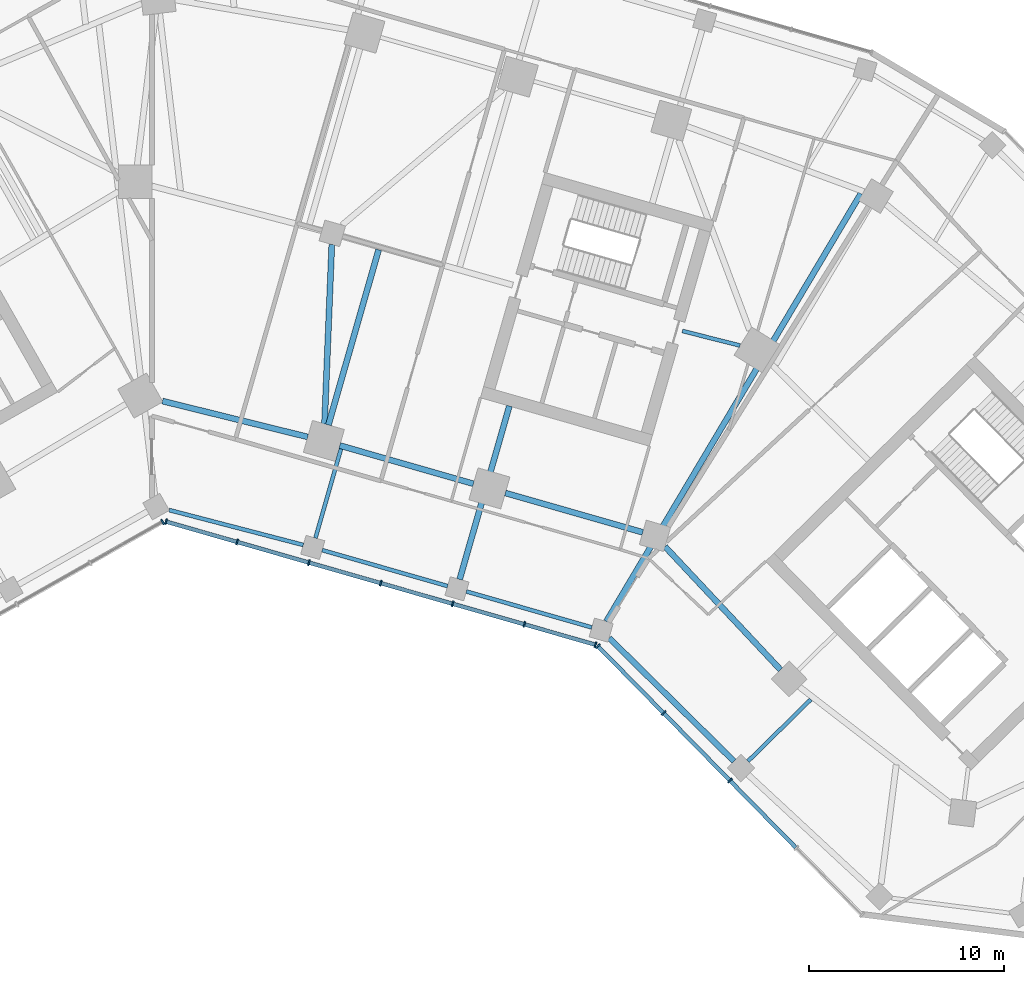
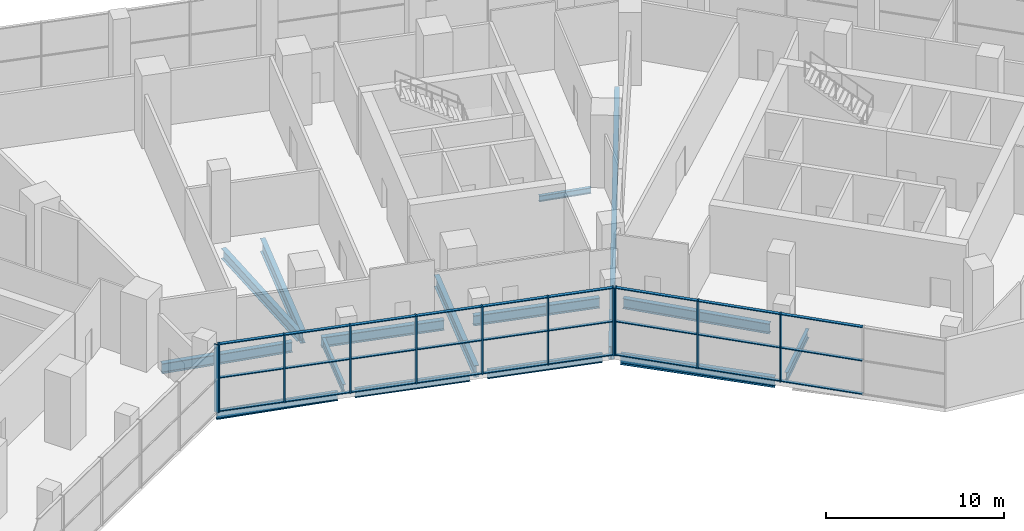
# One storey, part 5 of 18: 38 members, 15 beams, 3 elements without a shape of their own.
"""IFC4 building model written with IfcOpenShell, lengths in metres."""

from ifc_helpers import new_model, si_unit, direction, frame, origin, origin_2d, place, context, subcontext, project, spatial, rectangle, i_section, extrude, material, material_profile, profile_set, type_object, element, aggregate, save


model = new_model("IFC4")

# Units and contexts
model_context = context("Model", 3, precision=1e-05, world=origin(), true_north=direction((0.0, 1.0)))
body_context = subcontext(model_context, "Body", "Model", "MODEL_VIEW")
ifc_project = project(units=[si_unit("LENGTHUNIT", "METRE"), si_unit("AREAUNIT", "SQUARE_METRE"), si_unit("VOLUMEUNIT", "CUBIC_METRE"), si_unit("PLANEANGLEUNIT", "RADIAN"), si_unit("MASSUNIT", "GRAM", prefix="KILO")], contexts=[model_context])

# Site, building, storey
site_placement = place(None, origin())
site = spatial("IfcSite", under=ifc_project, at=site_placement, CompositionType="ELEMENT")
building_placement = place(site_placement, origin())
building = spatial("IfcBuilding", under=site, at=building_placement, Name="Binnacle Exchange Tower", CompositionType="ELEMENT")
storey_placement = place(building_placement, frame((0.0, 0.0, 6.5)))
storey = spatial("IfcBuildingStorey", under=building, at=storey_placement, Name="L01", CompositionType="ELEMENT", Elevation=6.5)

# Curtain wall, member
ifc_material_1 = material(Name="Bronze anodised aluminium frame", Category="aluminium")
curtain_wall_type = type_object("IfcCurtainWallType", Name="External wall - curtain wall waterfront lobby", PredefinedType="NOTDEFINED", material=ifc_material_1)
curtain_wall_1_placement = place(storey_placement, origin())
curtain_wall_1 = element("IfcCurtainWall", 1, at=curtain_wall_1_placement, inside=storey, type_object=curtain_wall_type, Name="External wall curtain wall CW1-P06 L01", PredefinedType="NOTDEFINED")
ifc_material_profile_1 = material_profile(ifc_material_1, rectangle(XDim=0.300048828125, YDim=0.080078125, at=origin_2d()), Name="AL 80x300")
ifc_profile_set_1 = profile_set([ifc_material_profile_1], Name="Bronze anodised aluminium frame")
member_type_1 = type_object("IfcMemberType", Name="CW1 MULLION 80x300", PredefinedType="MULLION", material=ifc_profile_set_1)
member_1_placement = place(storey_placement, frame((0.556884765625, 42.5703125, 0.0), z_axis=(0.0, 0.0, 1.0), x_axis=(-0.492423763004, 0.870355581144, 0.0)))
member_1 = element("IfcMember", 2, at=member_1_placement, type_object=member_type_1, Name="CW1-P06 mullion 11", PredefinedType="MULLION", context=body_context, shape_type="SweptSolid", body=[
    extrude(rectangle(XDim=0.300048828125, YDim=0.080078125, at=origin_2d()), origin(), (0.0, 0.0, 1.0), 4.64990234375),
])
aggregate(curtain_wall_1, [member_1])

# Curtain wall, members
curtain_wall_2_placement = place(storey_placement, origin())
curtain_wall_2 = element("IfcCurtainWall", 3, at=curtain_wall_2_placement, inside=storey, type_object=curtain_wall_type, Name="External wall curtain wall CW1-P07 L01", PredefinedType="NOTDEFINED")
member_2_placement = place(storey_placement, frame((0.72607421875, 42.59033203125, 0.0), z_axis=(0.0, 0.0, 1.0), x_axis=(0.275636946454, 0.961261813321, 0.0)))
member_2 = element("IfcMember", 4, at=member_2_placement, type_object=member_type_1, Name="CW1-P07 mullion 1", PredefinedType="MULLION", context=body_context, shape_type="SweptSolid", body=[
    extrude(rectangle(XDim=0.300048828125, YDim=0.080078125, at=origin_2d()), origin(), (0.0, 0.0, 1.0), 4.64990234375),
])
member_3_placement = place(storey_placement, frame((4.366455078125, 41.54638671875, 0.0), z_axis=(0.0, 0.0, 1.0), x_axis=(0.275636946454, 0.961261813321, 0.0)))
member_3 = element("IfcMember", 5, at=member_3_placement, type_object=member_type_1, Name="CW1-P07 mullion 2", PredefinedType="MULLION", context=body_context, shape_type="SweptSolid", body=[
    extrude(rectangle(XDim=0.300048828125, YDim=0.080078125, at=origin_2d()), origin(), (0.0, 0.0, 1.0), 4.64990234375),
])
member_4_placement = place(storey_placement, frame((8.04541015625, 40.491455078125, 0.0), z_axis=(0.0, 0.0, 1.0), x_axis=(0.275636946454, 0.961261813321, 0.0)))
member_4 = element("IfcMember", 6, at=member_4_placement, type_object=member_type_1, Name="CW1-P07 mullion 3", PredefinedType="MULLION", context=body_context, shape_type="SweptSolid", body=[
    extrude(rectangle(XDim=0.300048828125, YDim=0.080078125, at=origin_2d()), origin(), (0.0, 0.0, 1.0), 4.64990234375),
])
member_5_placement = place(storey_placement, frame((11.724365234375, 39.436767578125, 0.0), z_axis=(0.0, 0.0, 1.0), x_axis=(0.275636946454, 0.961261813321, 0.0)))
member_5 = element("IfcMember", 7, at=member_5_placement, type_object=member_type_1, Name="CW1-P07 mullion 4", PredefinedType="MULLION", context=body_context, shape_type="SweptSolid", body=[
    extrude(rectangle(XDim=0.300048828125, YDim=0.080078125, at=origin_2d()), origin(), (0.0, 0.0, 1.0), 4.64990234375),
])
member_6_placement = place(storey_placement, frame((15.403076171875, 38.3818359375, 0.0), z_axis=(0.0, 0.0, 1.0), x_axis=(0.275636946454, 0.961261813321, 0.0)))
member_6 = element("IfcMember", 8, at=member_6_placement, type_object=member_type_1, Name="CW1-P07 mullion 5", PredefinedType="MULLION", context=body_context, shape_type="SweptSolid", body=[
    extrude(rectangle(XDim=0.300048828125, YDim=0.080078125, at=origin_2d()), origin(), (0.0, 0.0, 1.0), 4.64990234375),
])
member_7_placement = place(storey_placement, frame((19.08203125, 37.326904296875, 0.0), z_axis=(0.0, 0.0, 1.0), x_axis=(0.275636946454, 0.961261813321, 0.0)))
member_7 = element("IfcMember", 9, at=member_7_placement, type_object=member_type_1, Name="CW1-P07 mullion 6", PredefinedType="MULLION", context=body_context, shape_type="SweptSolid", body=[
    extrude(rectangle(XDim=0.300048828125, YDim=0.080078125, at=origin_2d()), origin(), (0.0, 0.0, 1.0), 4.64990234375),
])
member_8_placement = place(storey_placement, frame((22.722412109375, 36.282958984375, 0.0), z_axis=(0.0, 0.0, 1.0), x_axis=(0.275636946454, 0.961261813321, 0.0)))
member_8 = element("IfcMember", 10, at=member_8_placement, type_object=member_type_1, Name="CW1-P07 mullion 7", PredefinedType="MULLION", context=body_context, shape_type="SweptSolid", body=[
    extrude(rectangle(XDim=0.300048828125, YDim=0.080078125, at=origin_2d()), origin(), (0.0, 0.0, 1.0), 4.64990234375),
])

curtain_wall_3_placement = place(storey_placement, origin())
curtain_wall_3 = element("IfcCurtainWall", 11, at=curtain_wall_3_placement, inside=storey, type_object=curtain_wall_type, Name="External wall curtain wall CW1-P08 L01", PredefinedType="NOTDEFINED")
member_9_placement = place(storey_placement, frame((22.843505859375, 36.210693359375, 0.0), z_axis=(0.0, 0.0, 1.0), x_axis=(0.71325036061, 0.700909354403, 0.0)))
member_9 = element("IfcMember", 12, at=member_9_placement, type_object=member_type_1, Name="CW1-P08 mullion 1", PredefinedType="MULLION", context=body_context, shape_type="SweptSolid", body=[
    extrude(rectangle(XDim=0.300048828125, YDim=0.080078125, at=origin_2d()), origin(), (0.0, 0.0, 1.0), 4.64990234375),
])
member_10_placement = place(storey_placement, frame((26.211181640625, 32.78369140625, 0.0), z_axis=(0.0, 0.0, 1.0), x_axis=(0.71325036061, 0.700909354403, 0.0)))
member_10 = element("IfcMember", 13, at=member_10_placement, type_object=member_type_1, Name="CW1-P08 mullion 2", PredefinedType="MULLION", context=body_context, shape_type="SweptSolid", body=[
    extrude(rectangle(XDim=0.300048828125, YDim=0.080078125, at=origin_2d()), origin(), (0.0, 0.0, 1.0), 4.64990234375),
])
member_11_placement = place(storey_placement, frame((29.60693359375, 29.328369140625, 0.0), z_axis=(0.0, 0.0, 1.0), x_axis=(0.71325036061, 0.700909354403, 0.0)))
member_11 = element("IfcMember", 14, at=member_11_placement, type_object=member_type_1, Name="CW1-P08 mullion 3", PredefinedType="MULLION", context=body_context, shape_type="SweptSolid", body=[
    extrude(rectangle(XDim=0.300048828125, YDim=0.080078125, at=origin_2d()), origin(), (0.0, 0.0, 1.0), 4.64990234375),
])

# Member
ifc_material_profile_2 = material_profile(ifc_material_1, rectangle(XDim=0.199951171875, YDim=0.06005859375, at=origin_2d()), Name="AL 200x60")
ifc_profile_set_2 = profile_set([ifc_material_profile_2], Name="Bronze anodised aluminium frame")
member_type_2 = type_object("IfcMemberType", Name="CW1 TRANSOM 60x200", PredefinedType="USERDEFINED", material=ifc_profile_set_2)
member_12_placement = place(storey_placement, frame((0.7646484375, 42.579345703125, 0.030029296875), z_axis=(0.961250102542, -0.275677783587, 0.0), x_axis=(0.275677783587, 0.961250102542, 0.0)))
member_12 = element("IfcMember", 15, at=member_12_placement, type_object=member_type_2, Name="CW1-P07 transom 1.1", ObjectType="TRANSOM", PredefinedType="USERDEFINED", context=body_context, shape_type="SweptSolid", body=[
    extrude(rectangle(XDim=0.199951171875, YDim=0.06005859375, at=origin_2d()), origin(), (0.0, 0.0, 1.0), 3.70703125),
])

member_13_placement = place(storey_placement, frame((0.7646484375, 42.579345703125, 2.324951171875), z_axis=(0.961250102542, -0.275677783587, 0.0), x_axis=(0.275677783587, 0.961250102542, 0.0)))
member_13 = element("IfcMember", 16, at=member_13_placement, type_object=member_type_2, Name="CW1-P07 transom 1.2", ObjectType="TRANSOM", PredefinedType="USERDEFINED", context=body_context, shape_type="SweptSolid", body=[
    extrude(rectangle(XDim=0.199951171875, YDim=0.06005859375, at=origin_2d()), origin(), (0.0, 0.0, 1.0), 3.70703125),
])

member_14_placement = place(storey_placement, frame((0.7646484375, 42.579345703125, 4.6201171875), z_axis=(0.961250102542, -0.275677783587, 0.0), x_axis=(0.275677783587, 0.961250102542, 0.0)))
member_14 = element("IfcMember", 17, at=member_14_placement, type_object=member_type_2, Name="CW1-P07 transom 1.3", ObjectType="TRANSOM", PredefinedType="USERDEFINED", context=body_context, shape_type="SweptSolid", body=[
    extrude(rectangle(XDim=0.199951171875, YDim=0.06005859375, at=origin_2d()), origin(), (0.0, 0.0, 1.0), 3.70703125),
])

member_15_placement = place(storey_placement, frame((4.405029296875, 41.535400390625, 0.030029296875), z_axis=(0.961272768029, -0.275598739919, 0.0), x_axis=(0.275598739919, 0.961272768029, 0.0)))
member_15 = element("IfcMember", 18, at=member_15_placement, type_object=member_type_2, Name="CW1-P07 transom 2.1", ObjectType="TRANSOM", PredefinedType="USERDEFINED", context=body_context, shape_type="SweptSolid", body=[
    extrude(rectangle(XDim=0.199951171875, YDim=0.06005859375, at=origin_2d()), origin(), (0.0, 0.0, 1.0), 3.7470703125),
])

member_16_placement = place(storey_placement, frame((4.405029296875, 41.535400390625, 2.324951171875), z_axis=(0.961272768029, -0.275598739919, 0.0), x_axis=(0.275598739919, 0.961272768029, 0.0)))
member_16 = element("IfcMember", 19, at=member_16_placement, type_object=member_type_2, Name="CW1-P07 transom 2.2", ObjectType="TRANSOM", PredefinedType="USERDEFINED", context=body_context, shape_type="SweptSolid", body=[
    extrude(rectangle(XDim=0.199951171875, YDim=0.06005859375, at=origin_2d()), origin(), (0.0, 0.0, 1.0), 3.7470703125),
])

member_17_placement = place(storey_placement, frame((4.405029296875, 41.535400390625, 4.6201171875), z_axis=(0.961272768029, -0.275598739919, 0.0), x_axis=(0.275598739919, 0.961272768029, 0.0)))
member_17 = element("IfcMember", 20, at=member_17_placement, type_object=member_type_2, Name="CW1-P07 transom 2.3", ObjectType="TRANSOM", PredefinedType="USERDEFINED", context=body_context, shape_type="SweptSolid", body=[
    extrude(rectangle(XDim=0.199951171875, YDim=0.06005859375, at=origin_2d()), origin(), (0.0, 0.0, 1.0), 3.7470703125),
])

member_18_placement = place(storey_placement, frame((8.083984375, 40.48046875, 0.030029296875), z_axis=(0.961267818862, -0.275616001748, 0.0), x_axis=(0.275616001748, 0.961267818862, 0.0)))
member_18 = element("IfcMember", 21, at=member_18_placement, type_object=member_type_2, Name="CW1-P07 transom 3.1", ObjectType="TRANSOM", PredefinedType="USERDEFINED", context=body_context, shape_type="SweptSolid", body=[
    extrude(rectangle(XDim=0.199951171875, YDim=0.06005859375, at=origin_2d()), origin(), (0.0, 0.0, 1.0), 3.746826171875),
])

member_19_placement = place(storey_placement, frame((8.083984375, 40.48046875, 2.324951171875), z_axis=(0.961267818862, -0.275616001748, 0.0), x_axis=(0.275616001748, 0.961267818862, 0.0)))
member_19 = element("IfcMember", 22, at=member_19_placement, type_object=member_type_2, Name="CW1-P07 transom 3.2", ObjectType="TRANSOM", PredefinedType="USERDEFINED", context=body_context, shape_type="SweptSolid", body=[
    extrude(rectangle(XDim=0.199951171875, YDim=0.06005859375, at=origin_2d()), origin(), (0.0, 0.0, 1.0), 3.746826171875),
])

member_20_placement = place(storey_placement, frame((8.083984375, 40.48046875, 4.6201171875), z_axis=(0.961267818862, -0.275616001748, 0.0), x_axis=(0.275616001748, 0.961267818862, 0.0)))
member_20 = element("IfcMember", 23, at=member_20_placement, type_object=member_type_2, Name="CW1-P07 transom 3.3", ObjectType="TRANSOM", PredefinedType="USERDEFINED", context=body_context, shape_type="SweptSolid", body=[
    extrude(rectangle(XDim=0.199951171875, YDim=0.06005859375, at=origin_2d()), origin(), (0.0, 0.0, 1.0), 3.746826171875),
])

member_21_placement = place(storey_placement, frame((11.7626953125, 39.425537109375, 0.030029296875), z_axis=(0.961272768029, -0.275598739919, 0.0), x_axis=(0.275598739919, 0.961272768029, 0.0)))
member_21 = element("IfcMember", 24, at=member_21_placement, type_object=member_type_2, Name="CW1-P07 transom 4.1", ObjectType="TRANSOM", PredefinedType="USERDEFINED", context=body_context, shape_type="SweptSolid", body=[
    extrude(rectangle(XDim=0.199951171875, YDim=0.06005859375, at=origin_2d()), origin(), (0.0, 0.0, 1.0), 3.7470703125),
])

member_22_placement = place(storey_placement, frame((11.7626953125, 39.425537109375, 2.324951171875), z_axis=(0.961272768029, -0.275598739919, 0.0), x_axis=(0.275598739919, 0.961272768029, 0.0)))
member_22 = element("IfcMember", 25, at=member_22_placement, type_object=member_type_2, Name="CW1-P07 transom 4.2", ObjectType="TRANSOM", PredefinedType="USERDEFINED", context=body_context, shape_type="SweptSolid", body=[
    extrude(rectangle(XDim=0.199951171875, YDim=0.06005859375, at=origin_2d()), origin(), (0.0, 0.0, 1.0), 3.7470703125),
])

member_23_placement = place(storey_placement, frame((11.7626953125, 39.425537109375, 4.6201171875), z_axis=(0.961272768029, -0.275598739919, 0.0), x_axis=(0.275598739919, 0.961272768029, 0.0)))
member_23 = element("IfcMember", 26, at=member_23_placement, type_object=member_type_2, Name="CW1-P07 transom 4.3", ObjectType="TRANSOM", PredefinedType="USERDEFINED", context=body_context, shape_type="SweptSolid", body=[
    extrude(rectangle(XDim=0.199951171875, YDim=0.06005859375, at=origin_2d()), origin(), (0.0, 0.0, 1.0), 3.7470703125),
])

member_24_placement = place(storey_placement, frame((15.441650390625, 38.370849609375, 0.030029296875), z_axis=(0.961255505662, -0.275658942962, 0.0), x_axis=(0.275658942962, 0.961255505662, 0.0)))
member_24 = element("IfcMember", 27, at=member_24_placement, type_object=member_type_2, Name="CW1-P07 transom 5.1", ObjectType="TRANSOM", PredefinedType="USERDEFINED", context=body_context, shape_type="SweptSolid", body=[
    extrude(rectangle(XDim=0.199951171875, YDim=0.06005859375, at=origin_2d()), origin(), (0.0, 0.0, 1.0), 3.747314453125),
])

member_25_placement = place(storey_placement, frame((15.441650390625, 38.370849609375, 2.324951171875), z_axis=(0.961255505662, -0.275658942962, 0.0), x_axis=(0.275658942962, 0.961255505662, 0.0)))
member_25 = element("IfcMember", 28, at=member_25_placement, type_object=member_type_2, Name="CW1-P07 transom 5.2", ObjectType="TRANSOM", PredefinedType="USERDEFINED", context=body_context, shape_type="SweptSolid", body=[
    extrude(rectangle(XDim=0.199951171875, YDim=0.06005859375, at=origin_2d()), origin(), (0.0, 0.0, 1.0), 3.747314453125),
])

member_26_placement = place(storey_placement, frame((15.441650390625, 38.370849609375, 4.6201171875), z_axis=(0.961255505662, -0.275658942962, 0.0), x_axis=(0.275658942962, 0.961255505662, 0.0)))
member_26 = element("IfcMember", 29, at=member_26_placement, type_object=member_type_2, Name="CW1-P07 transom 5.3", ObjectType="TRANSOM", PredefinedType="USERDEFINED", context=body_context, shape_type="SweptSolid", body=[
    extrude(rectangle(XDim=0.199951171875, YDim=0.06005859375, at=origin_2d()), origin(), (0.0, 0.0, 1.0), 3.747314453125),
])

member_27_placement = place(storey_placement, frame((19.12060546875, 37.31591796875, 0.030029296875), z_axis=(0.961250102542, -0.275677783587, 0.0), x_axis=(0.275677783587, 0.961250102542, 0.0)))
member_27 = element("IfcMember", 30, at=member_27_placement, type_object=member_type_2, Name="CW1-P07 transom 6.1", ObjectType="TRANSOM", PredefinedType="USERDEFINED", context=body_context, shape_type="SweptSolid", body=[
    extrude(rectangle(XDim=0.199951171875, YDim=0.06005859375, at=origin_2d()), origin(), (0.0, 0.0, 1.0), 3.70703125),
])

member_28_placement = place(storey_placement, frame((19.12060546875, 37.31591796875, 2.324951171875), z_axis=(0.961250102542, -0.275677783587, 0.0), x_axis=(0.275677783587, 0.961250102542, 0.0)))
member_28 = element("IfcMember", 31, at=member_28_placement, type_object=member_type_2, Name="CW1-P07 transom 6.2", ObjectType="TRANSOM", PredefinedType="USERDEFINED", context=body_context, shape_type="SweptSolid", body=[
    extrude(rectangle(XDim=0.199951171875, YDim=0.06005859375, at=origin_2d()), origin(), (0.0, 0.0, 1.0), 3.70703125),
])

member_29_placement = place(storey_placement, frame((19.12060546875, 37.31591796875, 4.6201171875), z_axis=(0.961250102542, -0.275677783587, 0.0), x_axis=(0.275677783587, 0.961250102542, 0.0)))
member_29 = element("IfcMember", 32, at=member_29_placement, type_object=member_type_2, Name="CW1-P07 transom 6.3", ObjectType="TRANSOM", PredefinedType="USERDEFINED", context=body_context, shape_type="SweptSolid", body=[
    extrude(rectangle(XDim=0.199951171875, YDim=0.06005859375, at=origin_2d()), origin(), (0.0, 0.0, 1.0), 3.70703125),
])

aggregate(curtain_wall_2, [member_2, member_3, member_4, member_5, member_6, member_7, member_8, member_12, member_13, member_14, member_15, member_16, member_17, member_18, member_19, member_20, member_21, member_22, member_23, member_24, member_25, member_26, member_27, member_28, member_29])

member_30_placement = place(storey_placement, frame((22.87158203125, 36.182373046875, 0.030029296875), z_axis=(0.700905242012, -0.713254401823, 0.0), x_axis=(0.713254401823, 0.700905242012, 0.0)))
member_30 = element("IfcMember", 33, at=member_30_placement, type_object=member_type_2, Name="CW1-P08 transom 1.1", ObjectType="TRANSOM", PredefinedType="USERDEFINED", context=body_context, shape_type="SweptSolid", body=[
    extrude(rectangle(XDim=0.199951171875, YDim=0.06005859375, at=origin_2d()), origin(), (0.0, 0.0, 1.0), 4.72509765625),
])

member_31_placement = place(storey_placement, frame((22.87158203125, 36.182373046875, 2.324951171875), z_axis=(0.700905242012, -0.713254401823, 0.0), x_axis=(0.713254401823, 0.700905242012, 0.0)))
member_31 = element("IfcMember", 34, at=member_31_placement, type_object=member_type_2, Name="CW1-P08 transom 1.2", ObjectType="TRANSOM", PredefinedType="USERDEFINED", context=body_context, shape_type="SweptSolid", body=[
    extrude(rectangle(XDim=0.199951171875, YDim=0.06005859375, at=origin_2d()), origin(), (0.0, 0.0, 1.0), 4.72509765625),
])

member_32_placement = place(storey_placement, frame((22.87158203125, 36.182373046875, 4.6201171875), z_axis=(0.700905242012, -0.713254401823, 0.0), x_axis=(0.713254401823, 0.700905242012, 0.0)))
member_32 = element("IfcMember", 35, at=member_32_placement, type_object=member_type_2, Name="CW1-P08 transom 1.3", ObjectType="TRANSOM", PredefinedType="USERDEFINED", context=body_context, shape_type="SweptSolid", body=[
    extrude(rectangle(XDim=0.199951171875, YDim=0.06005859375, at=origin_2d()), origin(), (0.0, 0.0, 1.0), 4.72509765625),
])

member_33_placement = place(storey_placement, frame((26.2392578125, 32.75537109375, 0.030029296875), z_axis=(0.700931526822, -0.713228571152, 0.0), x_axis=(0.713228571152, 0.700931526822, 0.0)))
member_33 = element("IfcMember", 36, at=member_33_placement, type_object=member_type_2, Name="CW1-P08 transom 2.1", ObjectType="TRANSOM", PredefinedType="USERDEFINED", context=body_context, shape_type="SweptSolid", body=[
    extrude(rectangle(XDim=0.199951171875, YDim=0.06005859375, at=origin_2d()), origin(), (0.0, 0.0, 1.0), 4.764892578125),
])

member_34_placement = place(storey_placement, frame((26.2392578125, 32.75537109375, 2.324951171875), z_axis=(0.700931526822, -0.713228571152, 0.0), x_axis=(0.713228571152, 0.700931526822, 0.0)))
member_34 = element("IfcMember", 37, at=member_34_placement, type_object=member_type_2, Name="CW1-P08 transom 2.2", ObjectType="TRANSOM", PredefinedType="USERDEFINED", context=body_context, shape_type="SweptSolid", body=[
    extrude(rectangle(XDim=0.199951171875, YDim=0.06005859375, at=origin_2d()), origin(), (0.0, 0.0, 1.0), 4.764892578125),
])

member_35_placement = place(storey_placement, frame((26.2392578125, 32.75537109375, 4.6201171875), z_axis=(0.700931526822, -0.713228571152, 0.0), x_axis=(0.713228571152, 0.700931526822, 0.0)))
member_35 = element("IfcMember", 38, at=member_35_placement, type_object=member_type_2, Name="CW1-P08 transom 2.3", ObjectType="TRANSOM", PredefinedType="USERDEFINED", context=body_context, shape_type="SweptSolid", body=[
    extrude(rectangle(XDim=0.199951171875, YDim=0.06005859375, at=origin_2d()), origin(), (0.0, 0.0, 1.0), 4.764892578125),
])

member_36_placement = place(storey_placement, frame((29.635009765625, 29.2998046875, 0.030029296875), z_axis=(0.700905461064, -0.713254186564, 0.0), x_axis=(0.713254186564, 0.700905461064, 0.0)))
member_36 = element("IfcMember", 39, at=member_36_placement, type_object=member_type_2, Name="CW1-P08 transom 3.1", ObjectType="TRANSOM", PredefinedType="USERDEFINED", context=body_context, shape_type="SweptSolid", body=[
    extrude(rectangle(XDim=0.199951171875, YDim=0.06005859375, at=origin_2d()), origin(), (0.0, 0.0, 1.0), 4.7646484375),
])

member_37_placement = place(storey_placement, frame((29.635009765625, 29.2998046875, 2.324951171875), z_axis=(0.700905461064, -0.713254186564, 0.0), x_axis=(0.713254186564, 0.700905461064, 0.0)))
member_37 = element("IfcMember", 40, at=member_37_placement, type_object=member_type_2, Name="CW1-P08 transom 3.2", ObjectType="TRANSOM", PredefinedType="USERDEFINED", context=body_context, shape_type="SweptSolid", body=[
    extrude(rectangle(XDim=0.199951171875, YDim=0.06005859375, at=origin_2d()), origin(), (0.0, 0.0, 1.0), 4.7646484375),
])

member_38_placement = place(storey_placement, frame((29.635009765625, 29.2998046875, 4.6201171875), z_axis=(0.700905461064, -0.713254186564, 0.0), x_axis=(0.713254186564, 0.700905461064, 0.0)))
member_38 = element("IfcMember", 41, at=member_38_placement, type_object=member_type_2, Name="CW1-P08 transom 3.3", ObjectType="TRANSOM", PredefinedType="USERDEFINED", context=body_context, shape_type="SweptSolid", body=[
    extrude(rectangle(XDim=0.199951171875, YDim=0.06005859375, at=origin_2d()), origin(), (0.0, 0.0, 1.0), 4.7646484375),
])

aggregate(curtain_wall_3, [member_9, member_10, member_11, member_30, member_31, member_32, member_33, member_34, member_35, member_36, member_37, member_38])

# Beams
ifc_material_2 = material(Name="Steel S355 (SHN355)", Category="steel")
ifc_material_profile_3 = material_profile(ifc_material_2, i_section(OverallWidth=0.200927734375, OverallDepth=0.60595703125, WebThickness=0.011962890625, FlangeThickness=0.02001953125, FilletRadius=0.02197265625, at=origin_2d()), Name="H 606x201x12x20")
ifc_profile_set_3 = profile_set([ifc_material_profile_3], Name="Steel S355 (SHN355)")
beam_type_1 = type_object("IfcBeamType", Name="Edge girder H 606x201x12x20 Steel S355 (SHN355)", PredefinedType="SPANDREL", material=ifc_profile_set_3)
beam_1_placement = place(storey_placement, frame((15.1474609375, 39.287353515625, -0.653076171875), z_axis=(-0.961262967186, 0.275632922412, 0.0), x_axis=(-0.275632922412, -0.961262967186, 0.0)))
element("IfcBeam", 42, at=beam_1_placement, inside=storey, type_object=beam_type_1, Name="S:BM:edge:L01:051", PredefinedType="SPANDREL", context=body_context, shape_type="SweptSolid", body=[
    extrude(i_section(OverallWidth=0.200927734375, OverallDepth=0.60595703125, WebThickness=0.011962890625, FlangeThickness=0.02001953125, FilletRadius=0.02197265625, at=origin_2d()), origin(), (0.0, 0.0, 1.0), 6.682861328125),
])
beam_2_placement = place(storey_placement, frame((22.532470703125, 37.169677734375, -0.653076171875), z_axis=(-0.961260191586, 0.275642602064, 0.0), x_axis=(-0.275642602064, -0.961260191586, 0.0)))
element("IfcBeam", 43, at=beam_2_placement, inside=storey, type_object=beam_type_1, Name="S:BM:edge:L01:055", PredefinedType="SPANDREL", context=body_context, shape_type="SweptSolid", body=[
    extrude(i_section(OverallWidth=0.200927734375, OverallDepth=0.60595703125, WebThickness=0.011962890625, FlangeThickness=0.02001953125, FilletRadius=0.02197265625, at=origin_2d()), origin(), (0.0, 0.0, 1.0), 6.6826171875),
])
ifc_material_profile_4 = material_profile(ifc_material_2, i_section(OverallWidth=0.201904296875, OverallDepth=0.612060546875, WebThickness=0.012939453125, FlangeThickness=0.02294921875, FilletRadius=0.02197265625, at=origin_2d()), Name="H 612x202x13x23")
ifc_profile_set_4 = profile_set([ifc_material_profile_4], Name="Steel S355 (SHN355)")
beam_type_2 = type_object("IfcBeamType", Name="Edge girder H 612x202x13x23 Steel S355 (SHN355)", PredefinedType="SPANDREL", material=ifc_profile_set_4)
beam_3_placement = place(storey_placement, frame((7.7587890625, 41.393310546875, -0.656005859375), z_axis=(-0.967768014177, 0.251843345627, 0.0), x_axis=(-0.251843345627, -0.967768014177, 0.0)))
element("IfcBeam", 44, at=beam_3_placement, inside=storey, type_object=beam_type_2, Name="S:BM:edge:L01:047", PredefinedType="SPANDREL", context=body_context, shape_type="SweptSolid", body=[
    extrude(i_section(OverallWidth=0.201904296875, OverallDepth=0.612060546875, WebThickness=0.012939453125, FlangeThickness=0.02294921875, FilletRadius=0.02197265625, at=origin_2d()), origin(), (0.0, 0.0, 1.0), 7.09521484375),
])
ifc_material_profile_5 = material_profile(ifc_material_2, i_section(OverallWidth=0.300048828125, OverallDepth=0.699951171875, WebThickness=0.012939453125, FlangeThickness=0.02392578125, FilletRadius=0.028076171875, at=origin_2d()), Name="H 700x300x13x24")
ifc_profile_set_5 = profile_set([ifc_material_profile_5], Name="Steel S355 (SHN355)")
beam_type_3 = type_object("IfcBeamType", Name="Edge girder H 700x300x13x24 Steel S355 (SHN355)", PredefinedType="SPANDREL", material=ifc_profile_set_5)
beam_4_placement = place(storey_placement, frame((0.54443359375, 48.763916015625, -0.699951171875), z_axis=(0.970818997342, -0.239813415805, 0.0), x_axis=(0.239813415805, 0.970818997342, 0.0)))
element("IfcBeam", 45, at=beam_4_placement, inside=storey, type_object=beam_type_3, Name="S:BM:edge:L01:045", PredefinedType="SPANDREL", context=body_context, shape_type="SweptSolid", body=[
    extrude(i_section(OverallWidth=0.300048828125, OverallDepth=0.699951171875, WebThickness=0.012939453125, FlangeThickness=0.02392578125, FilletRadius=0.028076171875, at=origin_2d()), origin(), (0.0, 0.0, 1.0), 7.662841796875),
])
beam_5_placement = place(storey_placement, frame((9.626708984375, 46.488037109375, -0.699951171875), z_axis=(0.961260850036, -0.275640305812, 0.0), x_axis=(0.275640305812, 0.961260850036, 0.0)))
element("IfcBeam", 46, at=beam_5_placement, inside=storey, type_object=beam_type_3, Name="S:BM:edge:L01:048", PredefinedType="SPANDREL", context=body_context, shape_type="SweptSolid", body=[
    extrude(i_section(OverallWidth=0.300048828125, OverallDepth=0.699951171875, WebThickness=0.012939453125, FlangeThickness=0.02392578125, FilletRadius=0.028076171875, at=origin_2d()), origin(), (0.0, 0.0, 1.0), 7.120361328125),
])
beam_6_placement = place(storey_placement, frame((18.105224609375, 44.056884765625, -0.699951171875), z_axis=(0.96126047873, -0.275641600691, 0.0), x_axis=(0.275641600691, 0.96126047873, 0.0)))
element("IfcBeam", 47, at=beam_6_placement, inside=storey, type_object=beam_type_3, Name="S:BM:edge:L01:053", PredefinedType="SPANDREL", context=body_context, shape_type="SweptSolid", body=[
    extrude(i_section(OverallWidth=0.300048828125, OverallDepth=0.699951171875, WebThickness=0.012939453125, FlangeThickness=0.02392578125, FilletRadius=0.028076171875, at=origin_2d()), origin(), (0.0, 0.0, 1.0), 7.320556640625),
])
beam_7_placement = place(storey_placement, frame((26.284912109375, 41.3076171875, -0.699951171875), z_axis=(0.684056711164, -0.729428828544, 0.0), x_axis=(0.729428828544, 0.684056711164, 0.0)))
element("IfcBeam", 48, at=beam_7_placement, inside=storey, type_object=beam_type_3, Name="S:BM:edge:L01:057", PredefinedType="SPANDREL", context=body_context, shape_type="SweptSolid", body=[
    extrude(i_section(OverallWidth=0.300048828125, OverallDepth=0.699951171875, WebThickness=0.012939453125, FlangeThickness=0.02392578125, FilletRadius=0.028076171875, at=origin_2d()), origin(), (0.0, 0.0, 1.0), 8.6416015625),
])
beam_8_placement = place(storey_placement, frame((29.81640625, 30.31689453125, -0.699951171875), z_axis=(-0.711708607818, 0.702474809198, 0.0), x_axis=(-0.702474809198, -0.711708607818, 0.0)))
element("IfcBeam", 49, at=beam_8_placement, inside=storey, type_object=beam_type_3, Name="S:BM:edge:L01:059", PredefinedType="SPANDREL", context=body_context, shape_type="SweptSolid", body=[
    extrude(i_section(OverallWidth=0.300048828125, OverallDepth=0.699951171875, WebThickness=0.012939453125, FlangeThickness=0.02392578125, FilletRadius=0.028076171875, at=origin_2d()), origin(), (0.0, 0.0, 1.0), 8.989501953125),
])
ifc_material_profile_6 = material_profile(ifc_material_2, i_section(OverallWidth=0.199951171875, OverallDepth=0.60009765625, WebThickness=0.010986328125, FlangeThickness=0.01708984375, FilletRadius=0.02197265625, at=origin_2d()), Name="H 600x200x11x17")
ifc_profile_set_6 = profile_set([ifc_material_profile_6], Name="Steel S355 (SHN355)")
beam_type_4 = type_object("IfcBeamType", Name="Floor beam H 600x200x11x17 Steel S355 (SHN355)", PredefinedType="BEAM", material=ifc_profile_set_6)
beam_9_placement = place(storey_placement, frame((8.380615234375, 41.747802734375, -0.64990234375), z_axis=(0.275651024235, 0.961257776477, 0.0), x_axis=(-0.961257776477, 0.275651024235, 0.0)))
element("IfcBeam", 50, at=beam_9_placement, inside=storey, type_object=beam_type_4, Name="S:BM:cross:L01:105", PredefinedType="BEAM", context=body_context, shape_type="SweptSolid", body=[
    extrude(i_section(OverallWidth=0.199951171875, OverallDepth=0.60009765625, WebThickness=0.010986328125, FlangeThickness=0.01708984375, FilletRadius=0.02197265625, at=origin_2d()), origin(), (0.0, 0.0, 1.0), 4.75),
])
beam_10_placement = place(storey_placement, frame((30.529052734375, 30.316162109375, -0.64990234375), z_axis=(0.713237882923, 0.700922051561, 0.0), x_axis=(-0.700922051561, 0.713237882923, 0.0)))
element("IfcBeam", 51, at=beam_10_placement, inside=storey, type_object=beam_type_4, Name="S:BM:cross:L01:113", PredefinedType="BEAM", context=body_context, shape_type="SweptSolid", body=[
    extrude(i_section(OverallWidth=0.199951171875, OverallDepth=0.60009765625, WebThickness=0.010986328125, FlangeThickness=0.01708984375, FilletRadius=0.02197265625, at=origin_2d()), origin(), (0.0, 0.0, 1.0), 4.519775390625),
])
ifc_material_profile_7 = material_profile(ifc_material_2, i_section(OverallWidth=0.302001953125, OverallDepth=0.80810546875, WebThickness=0.01611328125, FlangeThickness=0.030029296875, FilletRadius=0.028076171875, at=origin_2d()), Name="H 808x302x16x30")
ifc_profile_set_7 = profile_set([ifc_material_profile_7], Name="Steel S355 (SHN355)")
beam_type_5 = type_object("IfcBeamType", Name="Floor beam H 808x302x16x30 Steel S355 (SHN355)", PredefinedType="BEAM", material=ifc_profile_set_7)
beam_11_placement = place(storey_placement, frame((15.765869140625, 39.630126953125, -0.75390625), z_axis=(0.2756218268, 0.961266148677, 0.0), x_axis=(-0.961266148677, 0.2756218268, 0.0)))
element("IfcBeam", 52, at=beam_11_placement, inside=storey, type_object=beam_type_5, Name="S:BM:cross:L01:109", PredefinedType="BEAM", context=body_context, shape_type="SweptSolid", body=[
    extrude(i_section(OverallWidth=0.302001953125, OverallDepth=0.80810546875, WebThickness=0.01611328125, FlangeThickness=0.030029296875, FilletRadius=0.028076171875, at=origin_2d()), origin(), (0.0, 0.0, 1.0), 9.235107421875),
])
ifc_material_profile_8 = material_profile(ifc_material_2, i_section(OverallWidth=0.302001953125, OverallDepth=0.912109375, WebThickness=0.01806640625, FlangeThickness=0.033935546875, FilletRadius=0.028076171875, at=origin_2d()), Name="H 912x302x18x34")
ifc_profile_set_8 = profile_set([ifc_material_profile_8], Name="Steel S355 (SHN355)")
beam_type_6 = type_object("IfcBeamType", Name="Floor beam H 912x302x18x34 Steel S355 (SHN355)", PredefinedType="BEAM", material=ifc_profile_set_8)
beam_12_placement = place(storey_placement, frame((9.043701171875, 47.539306640625, -0.805908203125), z_axis=(0.275646698205, 0.961259017003, 0.0), x_axis=(-0.961259017003, 0.275646698205, 0.0)))
element("IfcBeam", 53, at=beam_12_placement, inside=storey, type_object=beam_type_6, Name="S:BM:cross:L01:106", PredefinedType="BEAM", context=body_context, shape_type="SweptSolid", body=[
    extrude(i_section(OverallWidth=0.302001953125, OverallDepth=0.912109375, WebThickness=0.01806640625, FlangeThickness=0.033935546875, FilletRadius=0.028076171875, at=origin_2d()), origin(), (0.0, 0.0, 1.0), 9.335205078125),
])
ifc_material_profile_9 = material_profile(ifc_material_2, i_section(OverallWidth=0.302978515625, OverallDepth=0.91796875, WebThickness=0.01904296875, FlangeThickness=0.037109375, FilletRadius=0.028076171875, at=origin_2d()), Name="H 918x303x19x37")
ifc_profile_set_9 = profile_set([ifc_material_profile_9], Name="Steel S355 (SHN355)")
beam_type_7 = type_object("IfcBeamType", Name="Floor beam H 918x303x19x37 Steel S355 (SHN355)", PredefinedType="BEAM", material=ifc_profile_set_9)
beam_13_placement = place(storey_placement, frame((23.277587890625, 37.476318359375, -0.80908203125), z_axis=(0.511288746337, 0.859408993361, 0.0), x_axis=(-0.859408993361, 0.511288746337, 0.0)))
element("IfcBeam", 54, at=beam_13_placement, inside=storey, type_object=beam_type_7, Name="S:BM:cross:L01:111", PredefinedType="BEAM", context=body_context, shape_type="SweptSolid", body=[
    extrude(i_section(OverallWidth=0.302978515625, OverallDepth=0.91796875, WebThickness=0.01904296875, FlangeThickness=0.037109375, FilletRadius=0.028076171875, at=origin_2d()), origin(), (0.0, 0.0, 1.0), 25.49755859375),
])
ifc_material_profile_10 = material_profile(ifc_material_2, i_section(OverallWidth=0.199951171875, OverallDepth=0.39990234375, WebThickness=0.008056640625, FlangeThickness=0.012939453125, FilletRadius=0.01611328125, at=origin_2d()), Name="H 400x200x8x13")
ifc_profile_set_10 = profile_set([ifc_material_profile_10], Name="Steel S355 (SHN355)")
beam_type_8 = type_object("IfcBeamType", Name="Spine girder H 400x200x8x13 Steel S355 (SHN355)", PredefinedType="BEAM", material=ifc_profile_set_10)
beam_14_placement = place(storey_placement, frame((27.17138671875, 52.35400390625, -0.550048828125), z_axis=(0.969359627701, -0.245645908136, 0.0), x_axis=(0.245645908136, 0.969359627701, 0.0)))
element("IfcBeam", 55, at=beam_14_placement, inside=storey, type_object=beam_type_8, Name="S:BM:spine:L01:010", PredefinedType="BEAM", context=body_context, shape_type="SweptSolid", body=[
    extrude(i_section(OverallWidth=0.199951171875, OverallDepth=0.39990234375, WebThickness=0.008056640625, FlangeThickness=0.012939453125, FilletRadius=0.01611328125, at=origin_2d()), origin(), (0.0, 0.0, 1.0), 3.046142578125),
])
ifc_material_profile_11 = material_profile(ifc_material_2, i_section(OverallWidth=0.302001953125, OverallDepth=0.7080078125, WebThickness=0.014892578125, FlangeThickness=0.028076171875, FilletRadius=0.028076171875, at=origin_2d()), Name="H 708x302x15x28")
ifc_profile_set_11 = profile_set([ifc_material_profile_11], Name="Steel S355 (SHN355)")
beam_type_9 = type_object("IfcBeamType", Name="Spine girder H 708x302x15x28 Steel S355 (SHN355)", PredefinedType="BEAM", material=ifc_profile_set_11)
beam_15_placement = place(storey_placement, frame((9.218017578125, 56.78466796875, -0.7041015625), z_axis=(-0.040567083206, -0.999176817065, 0.0), x_axis=(0.999176817065, -0.040567083206, 0.0)))
element("IfcBeam", 56, at=beam_15_placement, inside=storey, type_object=beam_type_9, Name="S:BM:spine:L01:007", PredefinedType="BEAM", context=body_context, shape_type="SweptSolid", body=[
    extrude(i_section(OverallWidth=0.302001953125, OverallDepth=0.7080078125, WebThickness=0.014892578125, FlangeThickness=0.028076171875, FilletRadius=0.028076171875, at=origin_2d()), origin(), (0.0, 0.0, 1.0), 9.19580078125),
])

save(model, "model.ifc")
